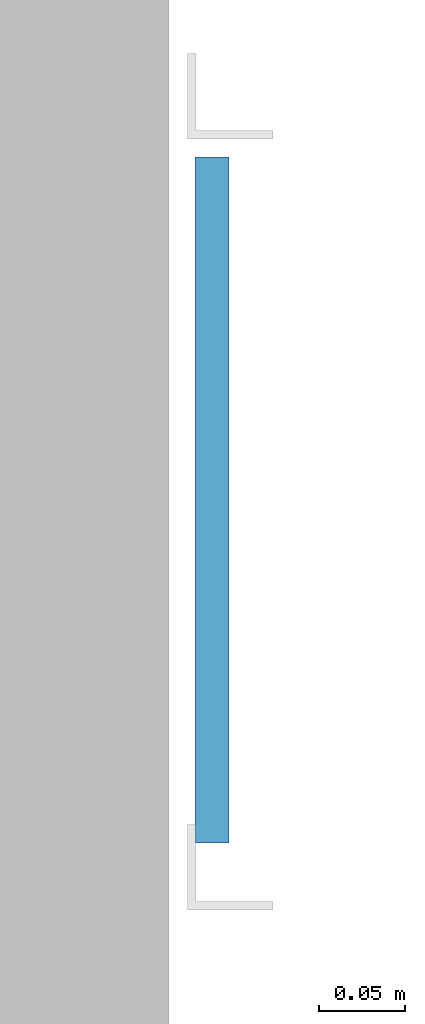
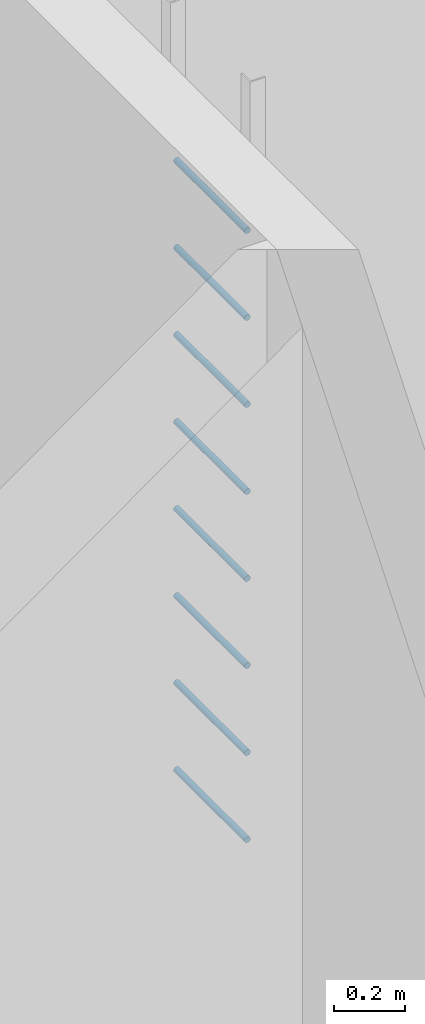
# One storey, part 23 of 78: 8 members.
"""IFC4 building model written with IfcOpenShell, lengths in metres."""

from ifc_helpers import new_model, si_unit, direction, frame, origin, origin_2d, place, context, subcontext, project, spatial, circle, extrude, material, material_profile, profile_set, type_object, element, save


model = new_model("IFC4")

# Units and contexts
model_context = context("Model", 3, precision=1e-05, world=origin(), true_north=direction((0.0, 1.0)))
body_context = subcontext(model_context, "Body", "Model", "MODEL_VIEW")
ifc_project = project(units=[si_unit("LENGTHUNIT", "METRE"), si_unit("AREAUNIT", "SQUARE_METRE"), si_unit("VOLUMEUNIT", "CUBIC_METRE"), si_unit("PLANEANGLEUNIT", "RADIAN"), si_unit("MASSUNIT", "GRAM", prefix="KILO")], contexts=[model_context])

# Site, building, storey
site_placement = place(None, origin())
site = spatial("IfcSite", under=ifc_project, at=site_placement, CompositionType="ELEMENT")
building_placement = place(site_placement, origin())
building = spatial("IfcBuilding", under=site, at=building_placement, Name="Ridgestep Commons", CompositionType="ELEMENT")
storey_placement = place(building_placement, frame((0.0, 0.0, 30.0)))
storey = spatial("IfcBuildingStorey", under=building, at=storey_placement, Name="L10", CompositionType="ELEMENT", Elevation=30.0)

# Members
ifc_material = material(Name="Structural steel S355JR", Category="steel")
ifc_material_profile = material_profile(ifc_material, circle(Radius=0.010009765625, at=origin_2d()), Name="Round bar 20")
ifc_profile_set = profile_set([ifc_material_profile], Name="Structural steel S355JR")
member_type = type_object("IfcMemberType", Name="Core ladder rung 20", PredefinedType="STRINGER", material=ifc_profile_set)
for number, where, z_axis, x_axis, name in (
    (1, (31.800048828125, 75.89990234375, 0.300048828125), (0.0, 1.0, 0.0), (-1.0, 0.0, 0.0), "Ladder rung B2C.1"),
    (2, (31.800048828125, 75.89990234375, 0.60009765625), (0.0, 1.0, 0.0), (-1.0, 0.0, 0.0), "Ladder rung B2C.2"),
    (3, (31.800048828125, 75.89990234375, 0.89990234375), (0.0, 1.0, 0.0), (-1.0, 0.0, 0.0), "Ladder rung B2C.3"),
    (4, (31.800048828125, 75.89990234375, 1.199951171875), (0.0, 1.0, 0.0), (-1.0, 0.0, 0.0), "Ladder rung B2C.4"),
    (5, (31.800048828125, 75.89990234375, 1.5), (0.0, 1.0, 0.0), (-1.0, 0.0, 0.0), "Ladder rung B2C.5"),
    (6, (31.800048828125, 75.89990234375, 1.800048828125), (0.0, 1.0, 0.0), (-1.0, 0.0, 0.0), "Ladder rung B2C.6"),
    (7, (31.800048828125, 75.89990234375, 2.10009765625), (0.0, 1.0, 0.0), (-1.0, 0.0, 0.0), "Ladder rung B2C.7"),
    (8, (31.800048828125, 75.89990234375, 2.39990234375), (0.0, 1.0, 0.0), (-1.0, 0.0, 0.0), "Ladder rung B2C.8"),
):
    element("IfcMember", number, at=place(storey_placement, frame(where, z_axis=z_axis, x_axis=x_axis)), inside=storey, type_object=member_type, Name=name, PredefinedType="STRINGER", context=body_context, shape_type="SweptSolid", body=[
        extrude(circle(Radius=0.010009765625, at=origin_2d()), origin(), (0.0, 0.0, 1.0), 0.400146484375),
    ])

save(model, "model.ifc")
